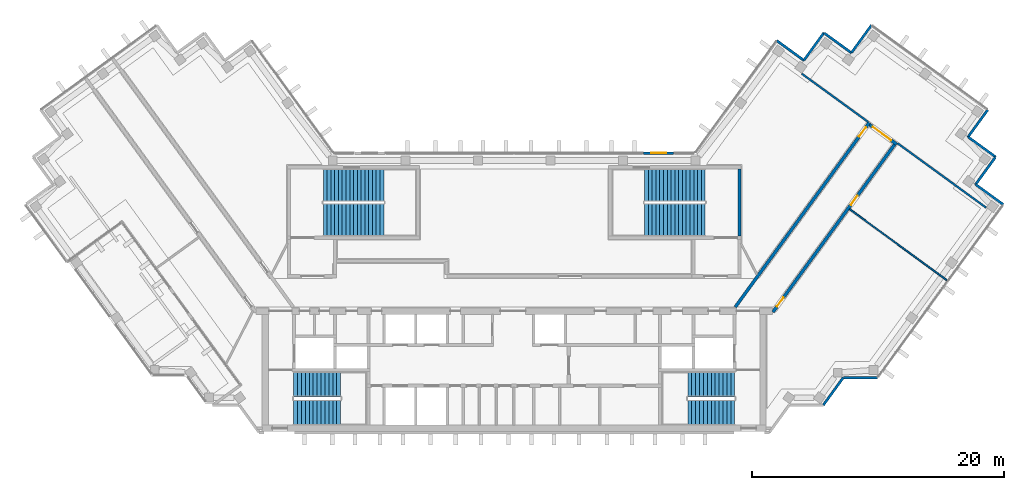
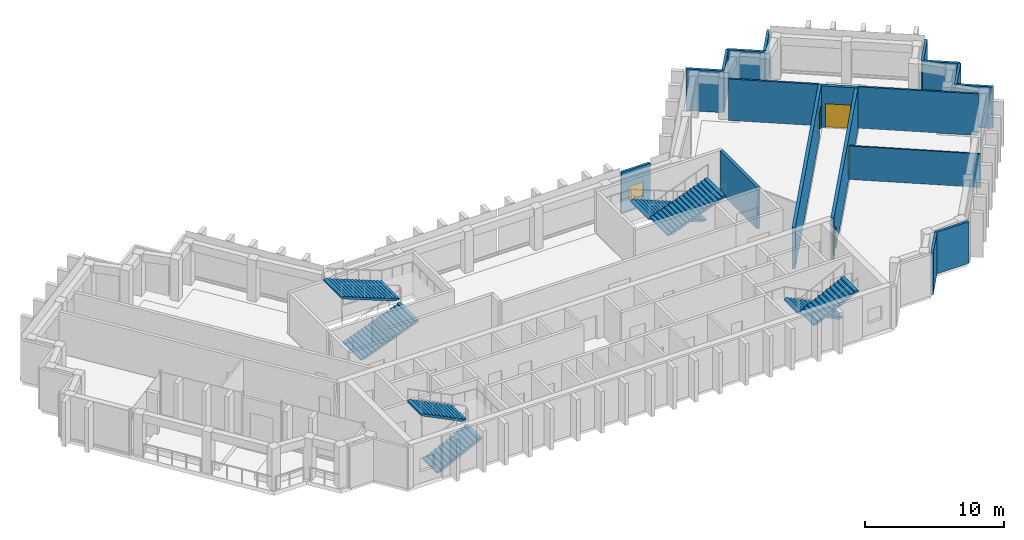
# One storey, part 8 of 10: 18 walls, 8 stair flights, 4 doors, 1 window, 5 openings, 4 elements without a shape of their own.
"""IFC4 building model written with IfcOpenShell, lengths in metres."""

from ifc_helpers import new_model, si_unit, direction, frame, frame_2d, origin, place, context, subcontext, project, spatial, polyline, rectangle, outline, extrude, material, layer, layer_set, type_object, element, fill, aggregate, save


model = new_model("IFC4")

# Units and contexts
model_context = context("Model", 3, precision=1e-05, world=origin(), true_north=direction((0.0, 1.0)))
body_context = subcontext(model_context, "Body", "Model", "MODEL_VIEW")
ifc_project = project(units=[si_unit("LENGTHUNIT", "METRE"), si_unit("AREAUNIT", "SQUARE_METRE"), si_unit("VOLUMEUNIT", "CUBIC_METRE"), si_unit("PLANEANGLEUNIT", "RADIAN"), si_unit("MASSUNIT", "GRAM", prefix="KILO")], contexts=[model_context])

# Site, building, storey
site_placement = place(None, origin())
site = spatial("IfcSite", under=ifc_project, at=site_placement, CompositionType="ELEMENT")
building_placement = place(site_placement, origin())
building = spatial("IfcBuilding", under=site, at=building_placement, Name="Quipu Civic Tower", CompositionType="ELEMENT")
storey_placement = place(building_placement, frame((0.0, 0.0, 265.0)))
storey = spatial("IfcBuildingStorey", under=building, at=storey_placement, Name="L62", CompositionType="ELEMENT", Elevation=265.0)

# Walls
ifc_material_1 = material(Name="Double gypsum plasterboard with mineral wool")
ifc_layer_1 = layer(ifc_material_1, 0.14990234375)
ifc_layer_set_1 = layer_set([ifc_layer_1], Name="Double gypsum plasterboard with mineral wool")
wall_type_1 = type_object("IfcWallType", Name="Acoustic partition 150 plasterboard", PredefinedType="PARTITIONING", material=ifc_layer_set_1)
wall_1_placement = place(storey_placement, frame((28.0732421875, 13.577880859375, 0.0), z_axis=(0.0, 0.0, 1.0), x_axis=(-0.809000932727, 0.587807358619, 0.0)))
element("IfcWall", 1, at=wall_1_placement, inside=storey, type_object=wall_type_1, Name="Partition P01", PredefinedType="PARTITIONING", context=body_context, shape_type="SweptSolid", body=[
    extrude(rectangle(XDim=6.49560546875, YDim=0.14990234375, at=frame_2d((3.247802734375, 0.0))), origin(), (0.0, 0.0, 1.0), 3.64990234375),
])
wall_2_placement = place(storey_placement, frame((37.4580078125, 6.759765625, 0.0), z_axis=(0.0, 0.0, 1.0), x_axis=(-0.809016295501, 0.587786214209, 0.0)))
element("IfcWall", 2, at=wall_2_placement, inside=storey, type_object=wall_type_1, Name="Partition P02", PredefinedType="PARTITIONING", context=body_context, shape_type="SweptSolid", body=[
    extrude(rectangle(XDim=8.700439453125, YDim=0.14990234375, at=frame_2d((4.35009765625, 0.0))), origin(), (0.0, 0.0, 1.0), 3.64990234375),
])
ifc_material_2 = material(Name="Concrete C70/85", Category="concrete")
ifc_layer_2 = layer(ifc_material_2, 0.25)
ifc_layer_set_2 = layer_set([ifc_layer_2], Name="Concrete C70/85")
wall_type_2 = type_object("IfcWallType", Name="Core wall 250", PredefinedType="SHEAR", material=ifc_layer_set_2)
wall_3_placement = place(storey_placement, frame((17.875, 4.5, 0.0), z_axis=(0.0, 0.0, 1.0), x_axis=(0.0, 1.0, 0.0)))
element("IfcWall", 3, at=wall_3_placement, inside=storey, type_object=wall_type_2, Name="Core wall", PredefinedType="SHEAR", context=body_context, shape_type="SweptSolid", body=[
    extrude(rectangle(XDim=5.35009765625, YDim=0.25, at=frame_2d((2.675048828125, 0.0))), origin(), (0.0, 0.0, 1.0), 3.64990234375),
])

# Wall, opening, door
ifc_material_3 = material(Name="Concrete C50/60", Category="concrete")
ifc_layer_3 = layer(ifc_material_3, 0.25)
ifc_layer_set_3 = layer_set([ifc_layer_3], Name="Concrete C50/60")
wall_type_3 = type_object("IfcWallType", Name="Corridor wall 250 concrete", PredefinedType="SOLIDWALL", material=ifc_layer_set_3)
wall_4_placement = place(storey_placement, frame((17.544921875, -1.124755859375, 0.0), z_axis=(0.0, 0.0, 1.0), x_axis=(0.58779555165, 0.809009511354, 0.0)))
wall_4 = element("IfcWall", 4, at=wall_4_placement, inside=storey, type_object=wall_type_3, Name="Corridor wall C02", PredefinedType="SOLIDWALL", context=body_context, shape_type="SweptSolid", body=[
    extrude(rectangle(XDim=18.10302734375, YDim=0.25, at=frame_2d((9.051513671875, 0.0))), origin(), (0.0, 0.0, 1.0), 3.64990234375),
])
opening_1_placement = place(wall_4_placement, frame((16.72802734375, 0.0, 0.0)))
opening_1 = element("IfcOpeningElement", 5, at=opening_1_placement, cuts=wall_4, Name="Opening D001", PredefinedType="OPENING", context=body_context, shape_type="SweptSolid", body=[
    extrude(rectangle(XDim=0.89990234375, YDim=2.10009765625, at=frame_2d((0.449951171875, 1.050048828125))), frame((0.0, 0.135009765625, 0.0), z_axis=(0.0, -1.0, 0.0), x_axis=(1.0, 0.0, 0.0)), (0.0, 0.0, 1.0), 0.27001953125),
])
ifc_material_4 = material(Name="Fire rated timber door set with metal frame", Category="wood")
door_type_1 = type_object("IfcDoorType", Name="Single door 900 x 2100 FD60", OperationType="NOTDEFINED", PredefinedType="DOOR", material=ifc_material_4)
door_1_placement = place(opening_1_placement, origin())
door_1 = element("IfcDoor", 6, at=door_1_placement, inside=storey, type_object=door_type_1, Name="Door D001", OperationType="SINGLE_SWING_RIGHT", OverallHeight=2.10009765625, OverallWidth=0.89990234375, PredefinedType="DOOR", context=body_context, shape_type="SweptSolid", body=[
    extrude(rectangle(XDim=0.89990234375, YDim=2.10009765625, at=frame_2d((0.449951171875, 1.050048828125))), frame((0.0, 0.02490234375, 0.0), z_axis=(0.0, -1.0, 0.0), x_axis=(1.0, 0.0, 0.0)), (0.0, 0.0, 1.0), 0.050048828125),
])
fill(opening_1, door_1)

wall_5_placement = place(storey_placement, frame((28.21337890625, 13.34619140625, 0.0), z_axis=(0.0, 0.0, 1.0), x_axis=(0.809006914995, -0.587799125119, 0.0)))
wall_5 = element("IfcWall", 7, at=wall_5_placement, inside=storey, type_object=wall_type_3, Name="Corridor wall C03", PredefinedType="SOLIDWALL", context=body_context, shape_type="SweptSolid", body=[
    extrude(rectangle(XDim=2.64990234375, YDim=0.25, at=frame_2d((1.324951171875, 0.0))), origin(), (0.0, 0.0, 1.0), 3.64990234375),
])
opening_2_placement = place(wall_5_placement, frame((0.30029296875, 0.0, 0.0)))
opening_2 = element("IfcOpeningElement", 8, at=opening_2_placement, cuts=wall_5, Name="Opening D004", PredefinedType="OPENING", context=body_context, shape_type="SweptSolid", body=[
    extrude(rectangle(XDim=1.800048828125, YDim=2.10009765625, at=frame_2d((0.89990234375, 1.050048828125))), frame((0.0, 0.135009765625, 0.0), z_axis=(0.0, -1.0, 0.0), x_axis=(1.0, 0.0, 0.0)), (0.0, 0.0, 1.0), 0.27001953125),
])
ifc_material_5 = material(Name="Fire rated timber door set with metal frame", Category="wood")
door_type_2 = type_object("IfcDoorType", Name="Double door 1800 x 2100 FD60", OperationType="DOUBLE_DOOR_SINGLE_SWING", PredefinedType="DOOR", material=ifc_material_5)
door_2_placement = place(opening_2_placement, origin())
door_2 = element("IfcDoor", 9, at=door_2_placement, inside=storey, type_object=door_type_2, Name="Door D004", OperationType="DOUBLE_DOOR_SINGLE_SWING", OverallHeight=2.10009765625, OverallWidth=1.800048828125, PredefinedType="DOOR", context=body_context, shape_type="SweptSolid", body=[
    extrude(rectangle(XDim=1.800048828125, YDim=2.10009765625, at=frame_2d((0.89990234375, 1.050048828125))), frame((0.0, 0.02490234375, 0.0), z_axis=(0.0, -1.0, 0.0), x_axis=(1.0, 0.0, 0.0)), (0.0, 0.0, 1.0), 0.050048828125),
])
fill(opening_2, door_2)

# Wall, openings, doors
wall_6_placement = place(storey_placement, frame((30.1826171875, 11.760986328125, 0.0), z_axis=(0.0, 0.0, 1.0), x_axis=(-0.587781762867, -0.80901952958, 0.0)))
wall_6 = element("IfcWall", 10, at=wall_6_placement, inside=storey, type_object=wall_type_3, Name="Corridor wall C04", PredefinedType="SOLIDWALL", context=body_context, shape_type="SweptSolid", body=[
    extrude(rectangle(XDim=16.42041015625, YDim=0.25, at=frame_2d((8.210205078125, 0.0))), origin(), (0.0, 0.0, 1.0), 3.64990234375),
])
opening_3_placement = place(wall_6_placement, frame((5.0048828125, 0.0, 0.0)))
opening_3 = element("IfcOpeningElement", 11, at=opening_3_placement, cuts=wall_6, Name="Opening D003", PredefinedType="OPENING", context=body_context, shape_type="SweptSolid", body=[
    extrude(rectangle(XDim=0.89990234375, YDim=2.10009765625, at=frame_2d((0.449951171875, 1.050048828125))), frame((0.0, 0.135009765625, 0.0), z_axis=(0.0, -1.0, 0.0), x_axis=(1.0, 0.0, 0.0)), (0.0, 0.0, 1.0), 0.27001953125),
])
opening_4_placement = place(wall_6_placement, frame((14.987548828125, 0.0, 0.0)))
opening_4 = element("IfcOpeningElement", 12, at=opening_4_placement, cuts=wall_6, Name="Opening D002", PredefinedType="OPENING", context=body_context, shape_type="SweptSolid", body=[
    extrude(rectangle(XDim=0.89990234375, YDim=2.10009765625, at=frame_2d((0.449951171875, 1.050048828125))), frame((0.0, 0.135009765625, 0.0), z_axis=(0.0, -1.0, 0.0), x_axis=(1.0, 0.0, 0.0)), (0.0, 0.0, 1.0), 0.27001953125),
])
door_3_placement = place(opening_3_placement, origin())
door_3 = element("IfcDoor", 13, at=door_3_placement, inside=storey, type_object=door_type_1, Name="Door D003", OperationType="SINGLE_SWING_RIGHT", OverallHeight=2.10009765625, OverallWidth=0.89990234375, PredefinedType="DOOR", context=body_context, shape_type="SweptSolid", body=[
    extrude(rectangle(XDim=0.89990234375, YDim=2.10009765625, at=frame_2d((0.449951171875, 1.050048828125))), frame((0.0, 0.02490234375, 0.0), z_axis=(0.0, -1.0, 0.0), x_axis=(1.0, 0.0, 0.0)), (0.0, 0.0, 1.0), 0.050048828125),
])
fill(opening_3, door_3)
door_4_placement = place(opening_4_placement, origin())
door_4 = element("IfcDoor", 14, at=door_4_placement, inside=storey, type_object=door_type_1, Name="Door D002", OperationType="SINGLE_SWING_RIGHT", OverallHeight=2.10009765625, OverallWidth=0.89990234375, PredefinedType="DOOR", context=body_context, shape_type="SweptSolid", body=[
    extrude(rectangle(XDim=0.89990234375, YDim=2.10009765625, at=frame_2d((0.449951171875, 1.050048828125))), frame((0.0, 0.02490234375, 0.0), z_axis=(0.0, -1.0, 0.0), x_axis=(1.0, 0.0, 0.0)), (0.0, 0.0, 1.0), 0.050048828125),
])
fill(opening_4, door_4)

# Walls
ifc_material_6 = material(Name="Gypsum plasterboard on light gauge framing")
ifc_layer_4 = layer(ifc_material_6, 0.1201171875)
ifc_layer_set_4 = layer_set([ifc_layer_4], Name="Gypsum plasterboard on light gauge framing")
wall_type_4 = type_object("IfcWallType", Name="Partition 120 plasterboard", PredefinedType="PARTITIONING", material=ifc_layer_set_4)
wall_7_placement = place(storey_placement, frame((26.618896484375, 6.643310546875, 0.0), z_axis=(0.0, 0.0, 1.0), x_axis=(0.807594822539, -0.589737740532, 0.0)))
element("IfcWall", 15, at=wall_7_placement, inside=storey, type_object=wall_type_4, Name="Partition P03", PredefinedType="PARTITIONING", context=body_context, shape_type="SweptSolid", body=[
    extrude(rectangle(XDim=9.550048828125, YDim=0.1201171875, at=frame_2d((4.77490234375, 0.0))), origin(), (0.0, 0.0, 1.0), 2.949951171875),
])
ifc_material_7 = material(Name="Precast concrete C40/50", Category="concrete")
wall_type_5 = type_object("IfcWallType", Name="Precast cladding wall", PredefinedType="SOLIDWALL", material=ifc_material_7)
wall_8_placement = place(storey_placement, frame((24.533203125, -8.90869140625, 0.0), z_axis=(0.0, 0.0, 1.0), x_axis=(0.587720002413, 0.809064397168, 0.0)))
element("IfcWall", 16, at=wall_8_placement, inside=storey, type_object=wall_type_5, Name="Precast cladding wall L62 14", PredefinedType="SOLIDWALL", context=body_context, shape_type="SweptSolid", body=[
    extrude(rectangle(XDim=2.7001953125, YDim=0.199951171875, at=frame_2d((1.35009765625, 0.0))), origin(), (0.0, 0.0, 1.0), 3.64990234375),
])
for number, where, z_axis, x_axis, name in (
    (17, (26.1298828125, -6.71923828125, 0.0), (0.0, 0.0, 1.0), (1.0, 0.0, 0.0), "Precast cladding wall L62 15"),
    (18, (38.813720703125, 7.010498046875, 0.0), (0.0, 0.0, 1.0), (-0.809033161865, 0.587762999008, 0.0), "Precast cladding wall L62 17"),
    (19, (36.60205078125, 8.580322265625, 0.0), (0.0, 0.0, 1.0), (0.587822180636, 0.808990163075, 0.0), "Precast cladding wall L62 18"),
    (20, (38.21630859375, 10.78173828125, 0.0), (0.0, 0.0, 1.0), (-0.809033161865, 0.587762999008, 0.0), "Precast cladding wall L62 19"),
    (21, (36.0048828125, 12.3515625, 0.0), (0.0, 0.0, 1.0), (0.587762999008, 0.809033161865, 0.0), "Precast cladding wall L62 20"),
):
    element("IfcWall", number, at=place(storey_placement, frame(where, z_axis=z_axis, x_axis=x_axis)), inside=storey, type_object=wall_type_5, Name=name, PredefinedType="SOLIDWALL", context=body_context, shape_type="SweptSolid", body=[
        extrude(rectangle(XDim=2.699951171875, YDim=0.199951171875, at=frame_2d((1.35009765625, 0.0))), origin(), (0.0, 0.0, 1.0), 3.64990234375),
    ])
for number, where, z_axis, x_axis, name in (
    (22, (28.3544921875, 21.247314453125, 0.0), (0.0, 0.0, 1.0), (-0.587720002413, -0.809064397168, 0.0), "Precast cladding wall L62 22"),
    (23, (26.78466796875, 19.03564453125, 0.0), (0.0, 0.0, 1.0), (-0.809064397168, 0.587720002413, 0.0), "Precast cladding wall L62 23"),
):
    element("IfcWall", number, at=place(storey_placement, frame(where, z_axis=z_axis, x_axis=x_axis)), inside=storey, type_object=wall_type_5, Name=name, PredefinedType="SOLIDWALL", context=body_context, shape_type="SweptSolid", body=[
        extrude(rectangle(XDim=2.7001953125, YDim=0.199951171875, at=frame_2d((1.35009765625, 0.0))), origin(), (0.0, 0.0, 1.0), 3.64990234375),
    ])
for number, where, z_axis, x_axis, name in (
    (24, (24.583251953125, 20.64990234375, 0.0), (0.0, 0.0, 1.0), (-0.587762999008, -0.809033161865, 0.0), "Precast cladding wall L62 24"),
    (25, (23.01318359375, 18.438232421875, 0.0), (0.0, 0.0, 1.0), (-0.808990163075, 0.587822180636, 0.0), "Precast cladding wall L62 25"),
):
    element("IfcWall", number, at=place(storey_placement, frame(where, z_axis=z_axis, x_axis=x_axis)), inside=storey, type_object=wall_type_5, Name=name, PredefinedType="SOLIDWALL", context=body_context, shape_type="SweptSolid", body=[
        extrude(rectangle(XDim=2.699951171875, YDim=0.199951171875, at=frame_2d((1.35009765625, 0.0))), origin(), (0.0, 0.0, 1.0), 3.64990234375),
    ])

# Wall, opening, window
wall_9_placement = place(storey_placement, frame((12.655029296875, 11.10009765625, 0.0), z_axis=(0.0, 0.0, 1.0), x_axis=(-1.0, 0.0, 0.0)))
wall_9 = element("IfcWall", 26, at=wall_9_placement, inside=storey, type_object=wall_type_5, Name="Vent surround SF-L62-2", PredefinedType="SOLIDWALL", context=body_context, shape_type="SweptSolid", body=[
    extrude(rectangle(XDim=2.3916015625, YDim=0.199951171875, at=frame_2d((1.19580078125, 0.0))), origin(), (0.0, 0.0, 1.0), 3.64990234375),
])
opening_5_placement = place(wall_9_placement, frame((0.595703125, 0.0, 1.0)))
opening_5 = element("IfcOpeningElement", 27, at=opening_5_placement, cuts=wall_9, Name="Opening SF-L62-2", PredefinedType="OPENING", context=body_context, shape_type="SweptSolid", body=[
    extrude(rectangle(XDim=1.199951171875, YDim=1.199951171875, at=frame_2d((0.60009765625, 0.60009765625))), frame((0.0, 0.10986328125, 0.0), z_axis=(0.0, -1.0, 0.0), x_axis=(1.0, 0.0, 0.0)), (0.0, 0.0, 1.0), 0.219970703125),
])
ifc_material_8 = material(Name="Anodised aluminium louvre", Category="aluminium")
window_type = type_object("IfcWindowType", Name="Stair vent louvre window P3", PartitioningType="SINGLE_PANEL", PredefinedType="WINDOW", material=ifc_material_8)
window_placement = place(opening_5_placement, origin())
window = element("IfcWindow", 28, at=window_placement, inside=storey, type_object=window_type, Name="Stair vent louvre SF-L62-2", OverallHeight=1.199951171875, OverallWidth=1.199951171875, PartitioningType="SINGLE_PANEL", PredefinedType="WINDOW", context=body_context, shape_type="SweptSolid", body=[
    extrude(rectangle(XDim=1.199951171875, YDim=1.199951171875, at=frame_2d((0.60009765625, 0.60009765625))), frame((0.0, 0.030029296875, 0.0), z_axis=(0.0, -1.0, 0.0), x_axis=(1.0, 0.0, 0.0)), (0.0, 0.0, 1.0), 0.06005859375),
])
fill(opening_5, window)

# Stair, stair flights
ifc_material_9 = material(Name="Concrete C40/50", Category="concrete")
stair_type_1 = type_object("IfcStairType", Name="Half turn stair 2000", PredefinedType="HALF_TURN_STAIR", material=ifc_material_9)
stair_1_placement = place(storey_placement, origin())
stair_1 = element("IfcStair", 29, at=stair_1_placement, inside=storey, type_object=stair_type_1, Name="Exit stair 1", PredefinedType="HALF_TURN_STAIR")
ifc_material_10 = material(Name="Concrete C40/50", Category="concrete")
stair_flight_type_1 = type_object("IfcStairFlightType", Name="Stair flight 2000", PredefinedType="STRAIGHT", material=ifc_material_10)
stair_flight_1_placement = place(storey_placement, frame((-17.5, -9.5, 0.0), z_axis=(0.0, 0.0, 1.0), x_axis=(1.0, 0.0, 0.0)))
stair_flight_1 = element("IfcStairFlight", 30, at=stair_flight_1_placement, type_object=stair_flight_type_1, Name="ST-1 flight 1", NumberOfRisers=13, NumberOfTreads=12, PredefinedType="STRAIGHT", RiserHeight=0.153846154, TreadLength=0.31, context=body_context, shape_type="SweptSolid", body=[
    extrude(outline(polyline([(0.0, 0.0), (0.0, 0.15380859375), (0.31005859375, 0.15380859375), (0.31005859375, 0.3076171875), (0.6201171875, 0.3076171875), (0.6201171875, 0.46142578125), (0.929931640625, 0.46142578125), (0.929931640625, 0.615478515625), (1.239990234375, 0.615478515625), (1.239990234375, 0.769287109375), (1.550048828125, 0.769287109375), (1.550048828125, 0.923095703125), (1.860107421875, 0.923095703125), (1.860107421875, 1.076904296875), (2.169921875, 1.076904296875), (2.169921875, 1.230712890625), (2.47998046875, 1.230712890625), (2.47998046875, 1.384521484375), (2.7900390625, 1.384521484375), (2.7900390625, 1.53857421875), (3.10009765625, 1.53857421875), (3.10009765625, 1.6923828125), (3.409912109375, 1.6923828125), (3.409912109375, 1.84619140625), (3.719970703125, 1.84619140625), (3.719970703125, 2.0), (3.719970703125, 1.6787109375), (0.337158203125, 0.0), (0.0, 0.0)])), frame((0.0, 1.0, 0.0), z_axis=(0.0, -1.0, 0.0), x_axis=(1.0, 0.0, 0.0)), (0.0, 0.0, 1.0), 2.0),
])
stair_flight_2_placement = place(storey_placement, frame((-13.780029296875, -7.25, 2.0), z_axis=(0.0, 0.0, 1.0), x_axis=(-1.0, 0.0, 0.0)))
stair_flight_2 = element("IfcStairFlight", 31, at=stair_flight_2_placement, type_object=stair_flight_type_1, Name="ST-1 flight 2", NumberOfRisers=13, NumberOfTreads=12, PredefinedType="STRAIGHT", RiserHeight=0.153846154, TreadLength=0.31, context=body_context, shape_type="SweptSolid", body=[
    extrude(outline(polyline([(0.0, 0.0), (0.0, 0.15380859375), (0.31005859375, 0.15380859375), (0.31005859375, 0.3076171875), (0.6201171875, 0.3076171875), (0.6201171875, 0.46142578125), (0.929931640625, 0.46142578125), (0.929931640625, 0.615478515625), (1.239990234375, 0.615478515625), (1.239990234375, 0.769287109375), (1.550048828125, 0.769287109375), (1.550048828125, 0.923095703125), (1.860107421875, 0.923095703125), (1.860107421875, 1.076904296875), (2.169921875, 1.076904296875), (2.169921875, 1.230712890625), (2.47998046875, 1.230712890625), (2.47998046875, 1.384521484375), (2.7900390625, 1.384521484375), (2.7900390625, 1.53857421875), (3.10009765625, 1.53857421875), (3.10009765625, 1.6923828125), (3.409912109375, 1.6923828125), (3.409912109375, 1.84619140625), (3.719970703125, 1.84619140625), (3.719970703125, 2.0), (3.719970703125, 1.6787109375), (0.337158203125, 0.0), (0.0, 0.0)])), frame((0.0, 1.0, 0.0), z_axis=(0.0, -1.0, 0.0), x_axis=(1.0, 0.0, 0.0)), (0.0, 0.0, 1.0), 2.0),
])
aggregate(stair_1, [stair_flight_1, stair_flight_2])

stair_2_placement = place(storey_placement, origin())
stair_2 = element("IfcStair", 32, at=stair_2_placement, inside=storey, type_object=stair_type_1, Name="Exit stair 2", PredefinedType="HALF_TURN_STAIR")
stair_flight_3_placement = place(storey_placement, frame((17.5, -7.25, 0.0), z_axis=(0.0, 0.0, 1.0), x_axis=(-1.0, 0.0, 0.0)))
stair_flight_3 = element("IfcStairFlight", 33, at=stair_flight_3_placement, type_object=stair_flight_type_1, Name="ST-2 flight 1", NumberOfRisers=13, NumberOfTreads=12, PredefinedType="STRAIGHT", RiserHeight=0.153846154, TreadLength=0.31, context=body_context, shape_type="SweptSolid", body=[
    extrude(outline(polyline([(0.0, 0.0), (0.0, 0.15380859375), (0.31005859375, 0.15380859375), (0.31005859375, 0.3076171875), (0.6201171875, 0.3076171875), (0.6201171875, 0.46142578125), (0.929931640625, 0.46142578125), (0.929931640625, 0.615478515625), (1.239990234375, 0.615478515625), (1.239990234375, 0.769287109375), (1.550048828125, 0.769287109375), (1.550048828125, 0.923095703125), (1.860107421875, 0.923095703125), (1.860107421875, 1.076904296875), (2.169921875, 1.076904296875), (2.169921875, 1.230712890625), (2.47998046875, 1.230712890625), (2.47998046875, 1.384521484375), (2.7900390625, 1.384521484375), (2.7900390625, 1.53857421875), (3.10009765625, 1.53857421875), (3.10009765625, 1.6923828125), (3.409912109375, 1.6923828125), (3.409912109375, 1.84619140625), (3.719970703125, 1.84619140625), (3.719970703125, 2.0), (3.719970703125, 1.6787109375), (0.337158203125, 0.0), (0.0, 0.0)])), frame((0.0, 1.0, 0.0), z_axis=(0.0, -1.0, 0.0), x_axis=(1.0, 0.0, 0.0)), (0.0, 0.0, 1.0), 2.0),
])
stair_flight_4_placement = place(storey_placement, frame((13.780029296875, -9.5, 2.0), z_axis=(0.0, 0.0, 1.0), x_axis=(1.0, 0.0, 0.0)))
stair_flight_4 = element("IfcStairFlight", 34, at=stair_flight_4_placement, type_object=stair_flight_type_1, Name="ST-2 flight 2", NumberOfRisers=13, NumberOfTreads=12, PredefinedType="STRAIGHT", RiserHeight=0.153846154, TreadLength=0.31, context=body_context, shape_type="SweptSolid", body=[
    extrude(outline(polyline([(0.0, 0.0), (0.0, 0.15380859375), (0.31005859375, 0.15380859375), (0.31005859375, 0.3076171875), (0.6201171875, 0.3076171875), (0.6201171875, 0.46142578125), (0.929931640625, 0.46142578125), (0.929931640625, 0.615478515625), (1.239990234375, 0.615478515625), (1.239990234375, 0.769287109375), (1.550048828125, 0.769287109375), (1.550048828125, 0.923095703125), (1.860107421875, 0.923095703125), (1.860107421875, 1.076904296875), (2.169921875, 1.076904296875), (2.169921875, 1.230712890625), (2.47998046875, 1.230712890625), (2.47998046875, 1.384521484375), (2.7900390625, 1.384521484375), (2.7900390625, 1.53857421875), (3.10009765625, 1.53857421875), (3.10009765625, 1.6923828125), (3.409912109375, 1.6923828125), (3.409912109375, 1.84619140625), (3.719970703125, 1.84619140625), (3.719970703125, 2.0), (3.719970703125, 1.6787109375), (0.337158203125, 0.0), (0.0, 0.0)])), frame((0.0, 1.0, 0.0), z_axis=(0.0, -1.0, 0.0), x_axis=(1.0, 0.0, 0.0)), (0.0, 0.0, 1.0), 2.0),
])
aggregate(stair_2, [stair_flight_3, stair_flight_4])

ifc_material_11 = material(Name="Concrete C40/50", Category="concrete")
stair_type_2 = type_object("IfcStairType", Name="Half turn stair 2600", PredefinedType="HALF_TURN_STAIR", material=ifc_material_11)
stair_3_placement = place(storey_placement, origin())
stair_3 = element("IfcStair", 35, at=stair_3_placement, inside=storey, type_object=stair_type_2, Name="Exit stair 3", PredefinedType="HALF_TURN_STAIR")
ifc_material_12 = material(Name="Concrete C40/50", Category="concrete")
stair_flight_type_2 = type_object("IfcStairFlightType", Name="Stair flight 2600", PredefinedType="STRAIGHT", material=ifc_material_12)
stair_flight_5_placement = place(storey_placement, frame((-15.14990234375, 5.800048828125, 0.0), z_axis=(0.0, 0.0, 1.0), x_axis=(1.0, 0.0, 0.0)))
stair_flight_5 = element("IfcStairFlight", 36, at=stair_flight_5_placement, type_object=stair_flight_type_2, Name="ST-3 flight 1", NumberOfRisers=17, NumberOfTreads=16, PredefinedType="STRAIGHT", RiserHeight=0.117647059, TreadLength=0.3, context=body_context, shape_type="SweptSolid", body=[
    extrude(outline(polyline([(0.0, 0.0), (0.0, 0.11767578125), (0.300048828125, 0.11767578125), (0.300048828125, 0.2353515625), (0.60009765625, 0.2353515625), (0.60009765625, 0.35302734375), (0.89990234375, 0.35302734375), (0.89990234375, 0.470703125), (1.199951171875, 0.470703125), (1.199951171875, 0.588134765625), (1.5, 0.588134765625), (1.5, 0.705810546875), (1.800048828125, 0.705810546875), (1.800048828125, 0.823486328125), (2.10009765625, 0.823486328125), (2.10009765625, 0.941162109375), (2.39990234375, 0.941162109375), (2.39990234375, 1.058837890625), (2.699951171875, 1.058837890625), (2.699951171875, 1.176513671875), (3.0, 1.176513671875), (3.0, 1.294189453125), (3.300048828125, 1.294189453125), (3.300048828125, 1.411865234375), (3.60009765625, 1.411865234375), (3.60009765625, 1.529296875), (3.89990234375, 1.529296875), (3.89990234375, 1.64697265625), (4.199951171875, 1.64697265625), (4.199951171875, 1.7646484375), (4.5, 1.7646484375), (4.5, 1.88232421875), (4.800048828125, 1.88232421875), (4.800048828125, 2.0), (4.800048828125, 1.721435546875), (0.41064453125, 0.0), (0.0, 0.0)])), frame((0.0, 1.300048828125, 0.0), z_axis=(0.0, -1.0, 0.0), x_axis=(1.0, 0.0, 0.0)), (0.0, 0.0, 1.0), 2.60009765625),
])
stair_flight_6_placement = place(storey_placement, frame((-10.35009765625, 8.550048828125, 2.0), z_axis=(0.0, 0.0, 1.0), x_axis=(-1.0, 0.0, 0.0)))
stair_flight_6 = element("IfcStairFlight", 37, at=stair_flight_6_placement, type_object=stair_flight_type_2, Name="ST-3 flight 2", NumberOfRisers=17, NumberOfTreads=16, PredefinedType="STRAIGHT", RiserHeight=0.117647059, TreadLength=0.3, context=body_context, shape_type="SweptSolid", body=[
    extrude(outline(polyline([(0.0, 0.0), (0.0, 0.11767578125), (0.300048828125, 0.11767578125), (0.300048828125, 0.2353515625), (0.60009765625, 0.2353515625), (0.60009765625, 0.35302734375), (0.89990234375, 0.35302734375), (0.89990234375, 0.470703125), (1.199951171875, 0.470703125), (1.199951171875, 0.588134765625), (1.5, 0.588134765625), (1.5, 0.705810546875), (1.800048828125, 0.705810546875), (1.800048828125, 0.823486328125), (2.10009765625, 0.823486328125), (2.10009765625, 0.941162109375), (2.39990234375, 0.941162109375), (2.39990234375, 1.058837890625), (2.699951171875, 1.058837890625), (2.699951171875, 1.176513671875), (3.0, 1.176513671875), (3.0, 1.294189453125), (3.300048828125, 1.294189453125), (3.300048828125, 1.411865234375), (3.60009765625, 1.411865234375), (3.60009765625, 1.529296875), (3.89990234375, 1.529296875), (3.89990234375, 1.64697265625), (4.199951171875, 1.64697265625), (4.199951171875, 1.7646484375), (4.5, 1.7646484375), (4.5, 1.88232421875), (4.800048828125, 1.88232421875), (4.800048828125, 2.0), (4.800048828125, 1.721435546875), (0.41064453125, 0.0), (0.0, 0.0)])), frame((0.0, 1.300048828125, 0.0), z_axis=(0.0, -1.0, 0.0), x_axis=(1.0, 0.0, 0.0)), (0.0, 0.0, 1.0), 2.60009765625),
])
aggregate(stair_3, [stair_flight_5, stair_flight_6])

stair_4_placement = place(storey_placement, origin())
stair_4 = element("IfcStair", 38, at=stair_4_placement, inside=storey, type_object=stair_type_2, Name="Exit stair 4", PredefinedType="HALF_TURN_STAIR")
stair_flight_7_placement = place(storey_placement, frame((15.14990234375, 8.550048828125, 0.0), z_axis=(0.0, 0.0, 1.0), x_axis=(-1.0, 0.0, 0.0)))
stair_flight_7 = element("IfcStairFlight", 39, at=stair_flight_7_placement, type_object=stair_flight_type_2, Name="ST-4 flight 1", NumberOfRisers=17, NumberOfTreads=16, PredefinedType="STRAIGHT", RiserHeight=0.117647059, TreadLength=0.3, context=body_context, shape_type="SweptSolid", body=[
    extrude(outline(polyline([(0.0, 0.0), (0.0, 0.11767578125), (0.300048828125, 0.11767578125), (0.300048828125, 0.2353515625), (0.60009765625, 0.2353515625), (0.60009765625, 0.35302734375), (0.89990234375, 0.35302734375), (0.89990234375, 0.470703125), (1.199951171875, 0.470703125), (1.199951171875, 0.588134765625), (1.5, 0.588134765625), (1.5, 0.705810546875), (1.800048828125, 0.705810546875), (1.800048828125, 0.823486328125), (2.10009765625, 0.823486328125), (2.10009765625, 0.941162109375), (2.39990234375, 0.941162109375), (2.39990234375, 1.058837890625), (2.699951171875, 1.058837890625), (2.699951171875, 1.176513671875), (3.0, 1.176513671875), (3.0, 1.294189453125), (3.300048828125, 1.294189453125), (3.300048828125, 1.411865234375), (3.60009765625, 1.411865234375), (3.60009765625, 1.529296875), (3.89990234375, 1.529296875), (3.89990234375, 1.64697265625), (4.199951171875, 1.64697265625), (4.199951171875, 1.7646484375), (4.5, 1.7646484375), (4.5, 1.88232421875), (4.800048828125, 1.88232421875), (4.800048828125, 2.0), (4.800048828125, 1.721435546875), (0.41064453125, 0.0), (0.0, 0.0)])), frame((0.0, 1.300048828125, 0.0), z_axis=(0.0, -1.0, 0.0), x_axis=(1.0, 0.0, 0.0)), (0.0, 0.0, 1.0), 2.60009765625),
])
stair_flight_8_placement = place(storey_placement, frame((10.35009765625, 5.800048828125, 2.0), z_axis=(0.0, 0.0, 1.0), x_axis=(1.0, 0.0, 0.0)))
stair_flight_8 = element("IfcStairFlight", 40, at=stair_flight_8_placement, type_object=stair_flight_type_2, Name="ST-4 flight 2", NumberOfRisers=17, NumberOfTreads=16, PredefinedType="STRAIGHT", RiserHeight=0.117647059, TreadLength=0.3, context=body_context, shape_type="SweptSolid", body=[
    extrude(outline(polyline([(0.0, 0.0), (0.0, 0.11767578125), (0.300048828125, 0.11767578125), (0.300048828125, 0.2353515625), (0.60009765625, 0.2353515625), (0.60009765625, 0.35302734375), (0.89990234375, 0.35302734375), (0.89990234375, 0.470703125), (1.199951171875, 0.470703125), (1.199951171875, 0.588134765625), (1.5, 0.588134765625), (1.5, 0.705810546875), (1.800048828125, 0.705810546875), (1.800048828125, 0.823486328125), (2.10009765625, 0.823486328125), (2.10009765625, 0.941162109375), (2.39990234375, 0.941162109375), (2.39990234375, 1.058837890625), (2.699951171875, 1.058837890625), (2.699951171875, 1.176513671875), (3.0, 1.176513671875), (3.0, 1.294189453125), (3.300048828125, 1.294189453125), (3.300048828125, 1.411865234375), (3.60009765625, 1.411865234375), (3.60009765625, 1.529296875), (3.89990234375, 1.529296875), (3.89990234375, 1.64697265625), (4.199951171875, 1.64697265625), (4.199951171875, 1.7646484375), (4.5, 1.7646484375), (4.5, 1.88232421875), (4.800048828125, 1.88232421875), (4.800048828125, 2.0), (4.800048828125, 1.721435546875), (0.41064453125, 0.0), (0.0, 0.0)])), frame((0.0, 1.300048828125, 0.0), z_axis=(0.0, -1.0, 0.0), x_axis=(1.0, 0.0, 0.0)), (0.0, 0.0, 1.0), 2.60009765625),
])
aggregate(stair_4, [stair_flight_7, stair_flight_8])

save(model, "model.ifc")
